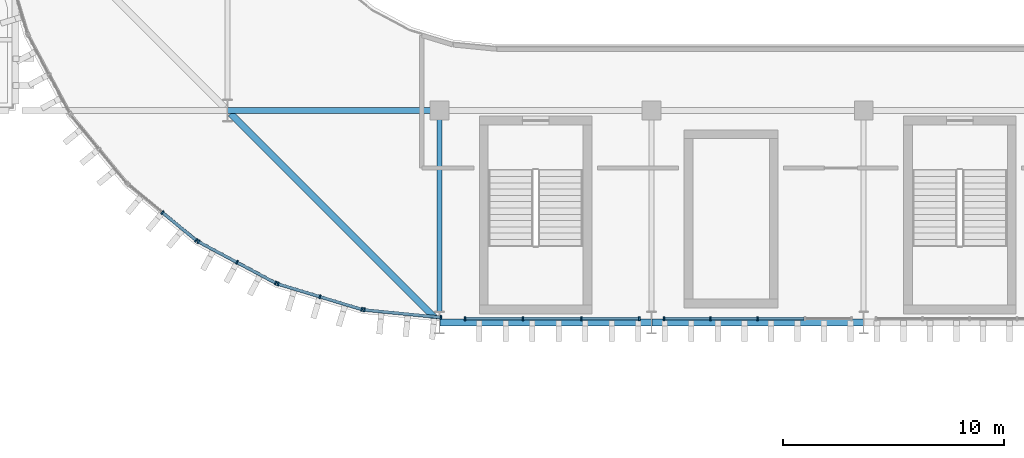
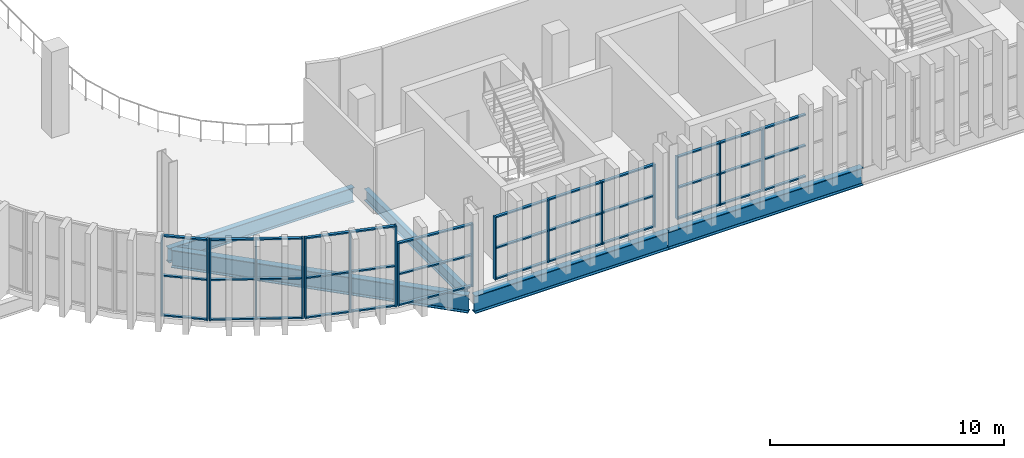
# One storey, part 11 of 92: 53 members, 5 beams, 6 elements without a shape of their own.
"""IFC4 building model written with IfcOpenShell, lengths in metres."""

from ifc_helpers import new_model, si_unit, direction, frame, origin, origin_2d, place, context, subcontext, project, spatial, rectangle, i_section, extrude, material, layer, layer_set, material_profile, profile_set, type_object, element, aggregate, save


model = new_model("IFC4")

# Units and contexts
model_context = context("Model", 3, precision=1e-05, world=origin(), true_north=direction((0.0, 1.0)))
body_context = subcontext(model_context, "Body", "Model", "MODEL_VIEW")
ifc_project = project(units=[si_unit("LENGTHUNIT", "METRE"), si_unit("AREAUNIT", "SQUARE_METRE"), si_unit("VOLUMEUNIT", "CUBIC_METRE"), si_unit("PLANEANGLEUNIT", "RADIAN"), si_unit("MASSUNIT", "GRAM", prefix="KILO")], contexts=[model_context])

# Site, building, storey
site_placement = place(None, origin())
site = spatial("IfcSite", under=ifc_project, at=site_placement, CompositionType="ELEMENT")
building_placement = place(site_placement, origin())
building = spatial("IfcBuilding", under=site, at=building_placement, Name="Caelomonte Colonnade Arena", CompositionType="ELEMENT")
storey_placement = place(building_placement, frame((0.0, 0.0, 9.60009765625)))
storey = spatial("IfcBuildingStorey", under=building, at=storey_placement, Name="L02", CompositionType="ELEMENT", Elevation=9.60009765625)

# Curtain wall, members
ifc_material_1 = material(Name="Bronze anodised aluminium and low-E glazing", Category="aluminium")
ifc_layer_1 = layer(ifc_material_1, 0.179931640625)
ifc_layer_set_1 = layer_set([ifc_layer_1], Name="Bronze anodised aluminium and low-E glazing")
curtain_wall_type_1 = type_object("IfcCurtainWallType", Name="ENV-CW-CW-L02-44-42", PredefinedType="USERDEFINED", material=ifc_layer_set_1)
curtain_wall_1_placement = place(storey_placement, origin())
curtain_wall_1 = element("IfcCurtainWall", 1, at=curtain_wall_1_placement, inside=storey, type_object=curtain_wall_type_1, Name="L02 unitized curtain wall CW-L02-0643-0242", ObjectType="UNITIZED CURTAIN WALL", PredefinedType="USERDEFINED")
ifc_material_2 = material(Name="Bronze anodised aluminium AA6063-T6", Category="aluminium")
ifc_material_profile_1 = material_profile(ifc_material_2, rectangle(XDim=0.070068359375, YDim=0.179931640625, at=origin_2d()), Name="CWM-70X180")
ifc_profile_set_1 = profile_set([ifc_material_profile_1], Name="Bronze anodised aluminium AA6063-T6")
member_type_1 = type_object("IfcMemberType", Name="ENV-CW-MULL1", PredefinedType="MULLION", material=ifc_profile_set_1)
member_1_placement = place(storey_placement, frame((64.256103515625, 24.18408203125, 0.0), z_axis=(0.0, 0.0, 1.0), x_axis=(0.772991751994, -0.634416071163, 0.0)))
member_1 = element("IfcMember", 2, at=member_1_placement, type_object=member_type_1, Name="CW-L02-44-42 mullion 2", PredefinedType="MULLION", context=body_context, shape_type="SweptSolid", body=[
    extrude(rectangle(XDim=0.070068359375, YDim=0.179931640625, at=origin_2d()), origin(), (0.0, 0.0, 1.0), 4.219970703125),
])
member_2_placement = place(storey_placement, frame((65.789306640625, 22.92578125, 0.0), z_axis=(0.0, 0.0, 1.0), x_axis=(0.772991751994, -0.634416071163, 0.0)))
member_2 = element("IfcMember", 3, at=member_2_placement, type_object=member_type_1, Name="CW-L02-44-42 mullion 3", PredefinedType="MULLION", context=body_context, shape_type="SweptSolid", body=[
    extrude(rectangle(XDim=0.070068359375, YDim=0.179931640625, at=origin_2d()), origin(), (0.0, 0.0, 1.0), 4.219970703125),
])

curtain_wall_2_placement = place(storey_placement, origin())
curtain_wall_2 = element("IfcCurtainWall", 4, at=curtain_wall_2_placement, inside=storey, type_object=curtain_wall_type_1, Name="L02 unitized curtain wall CW-L02-0676-0219", ObjectType="UNITIZED CURTAIN WALL", PredefinedType="USERDEFINED")
member_3_placement = place(storey_placement, frame((65.884033203125, 22.862548828125, 0.0), z_axis=(0.0, 0.0, 1.0), x_axis=(0.881922613642, -0.471394212466, 0.0)))
member_3 = element("IfcMember", 5, at=member_3_placement, type_object=member_type_1, Name="CW-L02-44-42 mullion 1", PredefinedType="MULLION", context=body_context, shape_type="SweptSolid", body=[
    extrude(rectangle(XDim=0.070068359375, YDim=0.179931640625, at=origin_2d()), origin(), (0.0, 0.0, 1.0), 4.219970703125),
])
member_4_placement = place(storey_placement, frame((67.633056640625, 21.927490234375, 0.0), z_axis=(0.0, 0.0, 1.0), x_axis=(0.881922613642, -0.471394212466, 0.0)))
member_4 = element("IfcMember", 6, at=member_4_placement, type_object=member_type_1, Name="CW-L02-44-42 mullion 2", PredefinedType="MULLION", context=body_context, shape_type="SweptSolid", body=[
    extrude(rectangle(XDim=0.070068359375, YDim=0.179931640625, at=origin_2d()), origin(), (0.0, 0.0, 1.0), 4.219970703125),
])
member_5_placement = place(storey_placement, frame((69.38232421875, 20.99267578125, 0.0), z_axis=(0.0, 0.0, 1.0), x_axis=(0.881922613642, -0.471394212466, 0.0)))
member_5 = element("IfcMember", 7, at=member_5_placement, type_object=member_type_1, Name="CW-L02-44-42 mullion 3", PredefinedType="MULLION", context=body_context, shape_type="SweptSolid", body=[
    extrude(rectangle(XDim=0.070068359375, YDim=0.179931640625, at=origin_2d()), origin(), (0.0, 0.0, 1.0), 4.219970703125),
])

curtain_wall_3_placement = place(storey_placement, origin())
curtain_wall_3 = element("IfcCurtainWall", 8, at=curtain_wall_3_placement, inside=storey, type_object=curtain_wall_type_1, Name="L02 unitized curtain wall CW-L02-0714-0204", ObjectType="UNITIZED CURTAIN WALL", PredefinedType="USERDEFINED")
member_6_placement = place(storey_placement, frame((69.487548828125, 20.948974609375, 0.0), z_axis=(0.0, 0.0, 1.0), x_axis=(0.956949160999, -0.290255582655, 0.0)))
member_6 = element("IfcMember", 9, at=member_6_placement, type_object=member_type_1, Name="CW-L02-44-42 mullion 1", PredefinedType="MULLION", context=body_context, shape_type="SweptSolid", body=[
    extrude(rectangle(XDim=0.070068359375, YDim=0.179931640625, at=origin_2d()), origin(), (0.0, 0.0, 1.0), 4.219970703125),
])
member_7_placement = place(storey_placement, frame((71.385498046875, 20.373291015625, 0.0), z_axis=(0.0, 0.0, 1.0), x_axis=(0.956949160999, -0.290255582655, 0.0)))
member_7 = element("IfcMember", 10, at=member_7_placement, type_object=member_type_1, Name="CW-L02-44-42 mullion 2", PredefinedType="MULLION", context=body_context, shape_type="SweptSolid", body=[
    extrude(rectangle(XDim=0.070068359375, YDim=0.179931640625, at=origin_2d()), origin(), (0.0, 0.0, 1.0), 4.219970703125),
])
member_8_placement = place(storey_placement, frame((73.28369140625, 19.797607421875, 0.0), z_axis=(0.0, 0.0, 1.0), x_axis=(0.956949160999, -0.290255582655, 0.0)))
member_8 = element("IfcMember", 11, at=member_8_placement, type_object=member_type_1, Name="CW-L02-44-42 mullion 3", PredefinedType="MULLION", context=body_context, shape_type="SweptSolid", body=[
    extrude(rectangle(XDim=0.070068359375, YDim=0.179931640625, at=origin_2d()), origin(), (0.0, 0.0, 1.0), 4.219970703125),
])

ifc_layer_2 = layer(ifc_material_1, 0.179931640625)
ifc_layer_set_2 = layer_set([ifc_layer_2], Name="Bronze anodised aluminium and low-E glazing")
curtain_wall_type_2 = type_object("IfcCurtainWallType", Name="ENV-CW-CW-L02-42-33", PredefinedType="USERDEFINED", material=ifc_layer_set_2)
curtain_wall_4_placement = place(storey_placement, origin())
curtain_wall_4 = element("IfcCurtainWall", 12, at=curtain_wall_4_placement, inside=storey, type_object=curtain_wall_type_2, Name="L02 unitized curtain wall CW-L02-0753-0196", ObjectType="UNITIZED CURTAIN WALL", PredefinedType="USERDEFINED")
member_9_placement = place(storey_placement, frame((73.3955078125, 19.775390625, 0.0), z_axis=(0.0, 0.0, 1.0), x_axis=(0.995184134744, -0.098023150088, 0.0)))
member_9 = element("IfcMember", 13, at=member_9_placement, type_object=member_type_1, Name="CW-L02-42-33 mullion 1", PredefinedType="MULLION", context=body_context, shape_type="SweptSolid", body=[
    extrude(rectangle(XDim=0.070068359375, YDim=0.179931640625, at=origin_2d()), origin(), (0.0, 0.0, 1.0), 3.29296875),
])
member_10_placement = place(storey_placement, frame((76.85986328125, 19.43408203125, 0.0), z_axis=(0.0, 0.0, 1.0), x_axis=(0.995184134744, -0.098023150088, 0.0)))
member_10 = element("IfcMember", 14, at=member_10_placement, type_object=member_type_1, Name="CW-L02-42-33 mullion 2", PredefinedType="MULLION", context=body_context, shape_type="SweptSolid", body=[
    extrude(rectangle(XDim=0.070068359375, YDim=0.179931640625, at=origin_2d()), origin(), (0.0, 0.0, 1.0), 3.29296875),
])

ifc_layer_3 = layer(ifc_material_1, 0.179931640625)
ifc_layer_set_3 = layer_set([ifc_layer_3], Name="Bronze anodised aluminium and low-E glazing")
curtain_wall_type_3 = type_object("IfcCurtainWallType", Name="ENV-CW-CW-L02-90-33", PredefinedType="USERDEFINED", material=ifc_layer_set_3)
curtain_wall_5_placement = place(storey_placement, origin())
curtain_wall_5 = element("IfcCurtainWall", 15, at=curtain_wall_5_placement, inside=storey, type_object=curtain_wall_type_3, Name="L02 unitized curtain wall CW-L02-0819-0194", ObjectType="UNITIZED CURTAIN WALL", PredefinedType="USERDEFINED")
member_11_placement = place(storey_placement, frame((77.96044921875, 19.3798828125, 0.0), z_axis=(0.0, 0.0, 1.0), x_axis=(1.0, 0.0, 0.0)))
member_11 = element("IfcMember", 16, at=member_11_placement, type_object=member_type_1, Name="CW-L02-90-33 mullion 1", PredefinedType="MULLION", context=body_context, shape_type="SweptSolid", body=[
    extrude(rectangle(XDim=0.070068359375, YDim=0.179931640625, at=origin_2d()), origin(), (0.0, 0.0, 1.0), 3.29296875),
])
member_12_placement = place(storey_placement, frame((80.5751953125, 19.3798828125, 0.0), z_axis=(0.0, 0.0, 1.0), x_axis=(1.0, 0.0, 0.0)))
member_12 = element("IfcMember", 17, at=member_12_placement, type_object=member_type_1, Name="CW-L02-90-33 mullion 2", PredefinedType="MULLION", context=body_context, shape_type="SweptSolid", body=[
    extrude(rectangle(XDim=0.070068359375, YDim=0.179931640625, at=origin_2d()), origin(), (0.0, 0.0, 1.0), 3.29296875),
])
member_13_placement = place(storey_placement, frame((83.224853515625, 19.3798828125, 0.0), z_axis=(0.0, 0.0, 1.0), x_axis=(1.0, 0.0, 0.0)))
member_13 = element("IfcMember", 18, at=member_13_placement, type_object=member_type_1, Name="CW-L02-90-33 mullion 3", PredefinedType="MULLION", context=body_context, shape_type="SweptSolid", body=[
    extrude(rectangle(XDim=0.070068359375, YDim=0.179931640625, at=origin_2d()), origin(), (0.0, 0.0, 1.0), 3.29296875),
])
member_14_placement = place(storey_placement, frame((85.839599609375, 19.3798828125, 0.0), z_axis=(0.0, 0.0, 1.0), x_axis=(1.0, 0.0, 0.0)))
member_14 = element("IfcMember", 19, at=member_14_placement, type_object=member_type_1, Name="CW-L02-90-33 mullion 4", PredefinedType="MULLION", context=body_context, shape_type="SweptSolid", body=[
    extrude(rectangle(XDim=0.070068359375, YDim=0.179931640625, at=origin_2d()), origin(), (0.0, 0.0, 1.0), 3.29296875),
])

ifc_layer_4 = layer(ifc_material_1, 0.179931640625)
ifc_layer_set_4 = layer_set([ifc_layer_4], Name="Bronze anodised aluminium and low-E glazing")
curtain_wall_type_4 = type_object("IfcCurtainWallType", Name="ENV-CW-CW-L02-96-33", PredefinedType="USERDEFINED", material=ifc_layer_set_4)
curtain_wall_6_placement = place(storey_placement, origin())
curtain_wall_6 = element("IfcCurtainWall", 20, at=curtain_wall_6_placement, inside=storey, type_object=curtain_wall_type_4, Name="L02 unitized curtain wall CW-L02-0912-0194", ObjectType="UNITIZED CURTAIN WALL", PredefinedType="USERDEFINED")
member_15_placement = place(storey_placement, frame((86.96044921875, 19.3798828125, 0.0), z_axis=(0.0, 0.0, 1.0), x_axis=(1.0, 0.0, 0.0)))
member_15 = element("IfcMember", 21, at=member_15_placement, type_object=member_type_1, Name="CW-L02-96-33 mullion 1", PredefinedType="MULLION", context=body_context, shape_type="SweptSolid", body=[
    extrude(rectangle(XDim=0.070068359375, YDim=0.179931640625, at=origin_2d()), origin(), (0.0, 0.0, 1.0), 3.29296875),
])
member_16_placement = place(storey_placement, frame((89.062744140625, 19.3798828125, 0.0), z_axis=(0.0, 0.0, 1.0), x_axis=(1.0, 0.0, 0.0)))
member_16 = element("IfcMember", 22, at=member_16_placement, type_object=member_type_1, Name="CW-L02-96-33 mullion 2", PredefinedType="MULLION", context=body_context, shape_type="SweptSolid", body=[
    extrude(rectangle(XDim=0.070068359375, YDim=0.179931640625, at=origin_2d()), origin(), (0.0, 0.0, 1.0), 3.29296875),
])
member_17_placement = place(storey_placement, frame((91.199951171875, 19.3798828125, 0.0), z_axis=(0.0, 0.0, 1.0), x_axis=(1.0, 0.0, 0.0)))
member_17 = element("IfcMember", 23, at=member_17_placement, type_object=member_type_1, Name="CW-L02-96-33 mullion 3", PredefinedType="MULLION", context=body_context, shape_type="SweptSolid", body=[
    extrude(rectangle(XDim=0.070068359375, YDim=0.179931640625, at=origin_2d()), origin(), (0.0, 0.0, 1.0), 3.29296875),
])

# Member
ifc_material_profile_2 = material_profile(ifc_material_2, rectangle(XDim=0.070068359375, YDim=0.139892578125, at=origin_2d()), Name="CWT-70X140")
ifc_profile_set_2 = profile_set([ifc_material_profile_2], Name="Bronze anodised aluminium AA6063-T6")
member_type_2 = type_object("IfcMemberType", Name="ENV-CW-TRAN1", PredefinedType="USERDEFINED", material=ifc_profile_set_2)
member_18_placement = place(storey_placement, frame((64.283203125, 24.161865234375, 0.034912109375), z_axis=(0.772989936128, -0.634418283662, 0.0), x_axis=(0.0, 0.0, 1.0)))
member_18 = element("IfcMember", 24, at=member_18_placement, type_object=member_type_2, Name="CW-L02-44-42 transom 2.1", ObjectType="TRANSOM", PredefinedType="USERDEFINED", context=body_context, shape_type="SweptSolid", body=[
    extrude(rectangle(XDim=0.070068359375, YDim=0.139892578125, at=origin_2d()), origin(), (0.0, 0.0, 1.0), 1.913330078125),
])

member_19_placement = place(storey_placement, frame((64.283203125, 24.161865234375, 2.10986328125), z_axis=(0.772989936128, -0.634418283662, 0.0), x_axis=(0.0, 0.0, 1.0)))
member_19 = element("IfcMember", 25, at=member_19_placement, type_object=member_type_2, Name="CW-L02-44-42 transom 2.2", ObjectType="TRANSOM", PredefinedType="USERDEFINED", context=body_context, shape_type="SweptSolid", body=[
    extrude(rectangle(XDim=0.070068359375, YDim=0.139892578125, at=origin_2d()), origin(), (0.0, 0.0, 1.0), 1.913330078125),
])

member_20_placement = place(storey_placement, frame((64.283203125, 24.161865234375, 4.184814453125), z_axis=(0.772989936128, -0.634418283662, 0.0), x_axis=(0.0, 0.0, 1.0)))
member_20 = element("IfcMember", 26, at=member_20_placement, type_object=member_type_2, Name="CW-L02-44-42 transom 2.3", ObjectType="TRANSOM", PredefinedType="USERDEFINED", context=body_context, shape_type="SweptSolid", body=[
    extrude(rectangle(XDim=0.070068359375, YDim=0.139892578125, at=origin_2d()), origin(), (0.0, 0.0, 1.0), 1.913330078125),
])

aggregate(curtain_wall_1, [member_1, member_2, member_18, member_19, member_20])

member_21_placement = place(storey_placement, frame((65.914794921875, 22.845947265625, 0.034912109375), z_axis=(0.88194995936, -0.471343048304, 0.0), x_axis=(0.0, 0.0, 1.0)))
member_21 = element("IfcMember", 27, at=member_21_placement, type_object=member_type_2, Name="CW-L02-44-42 transom 1.1", ObjectType="TRANSOM", PredefinedType="USERDEFINED", context=body_context, shape_type="SweptSolid", body=[
    extrude(rectangle(XDim=0.070068359375, YDim=0.139892578125, at=origin_2d()), origin(), (0.0, 0.0, 1.0), 1.913330078125),
])

member_22_placement = place(storey_placement, frame((65.914794921875, 22.845947265625, 2.10986328125), z_axis=(0.88194995936, -0.471343048304, 0.0), x_axis=(0.0, 0.0, 1.0)))
member_22 = element("IfcMember", 28, at=member_22_placement, type_object=member_type_2, Name="CW-L02-44-42 transom 1.2", ObjectType="TRANSOM", PredefinedType="USERDEFINED", context=body_context, shape_type="SweptSolid", body=[
    extrude(rectangle(XDim=0.070068359375, YDim=0.139892578125, at=origin_2d()), origin(), (0.0, 0.0, 1.0), 1.913330078125),
])

member_23_placement = place(storey_placement, frame((65.914794921875, 22.845947265625, 4.184814453125), z_axis=(0.88194995936, -0.471343048304, 0.0), x_axis=(0.0, 0.0, 1.0)))
member_23 = element("IfcMember", 29, at=member_23_placement, type_object=member_type_2, Name="CW-L02-44-42 transom 1.3", ObjectType="TRANSOM", PredefinedType="USERDEFINED", context=body_context, shape_type="SweptSolid", body=[
    extrude(rectangle(XDim=0.070068359375, YDim=0.139892578125, at=origin_2d()), origin(), (0.0, 0.0, 1.0), 1.913330078125),
])

member_24_placement = place(storey_placement, frame((67.6640625, 21.9111328125, 0.034912109375), z_axis=(0.881896914799, -0.471442288799, 0.0), x_axis=(0.0, 0.0, 1.0)))
member_24 = element("IfcMember", 30, at=member_24_placement, type_object=member_type_2, Name="CW-L02-44-42 transom 2.1", ObjectType="TRANSOM", PredefinedType="USERDEFINED", context=body_context, shape_type="SweptSolid", body=[
    extrude(rectangle(XDim=0.070068359375, YDim=0.139892578125, at=origin_2d()), origin(), (0.0, 0.0, 1.0), 1.91357421875),
])

member_25_placement = place(storey_placement, frame((67.6640625, 21.9111328125, 2.10986328125), z_axis=(0.881896914799, -0.471442288799, 0.0), x_axis=(0.0, 0.0, 1.0)))
member_25 = element("IfcMember", 31, at=member_25_placement, type_object=member_type_2, Name="CW-L02-44-42 transom 2.2", ObjectType="TRANSOM", PredefinedType="USERDEFINED", context=body_context, shape_type="SweptSolid", body=[
    extrude(rectangle(XDim=0.070068359375, YDim=0.139892578125, at=origin_2d()), origin(), (0.0, 0.0, 1.0), 1.91357421875),
])

member_26_placement = place(storey_placement, frame((67.6640625, 21.9111328125, 4.184814453125), z_axis=(0.881896914799, -0.471442288799, 0.0), x_axis=(0.0, 0.0, 1.0)))
member_26 = element("IfcMember", 32, at=member_26_placement, type_object=member_type_2, Name="CW-L02-44-42 transom 2.3", ObjectType="TRANSOM", PredefinedType="USERDEFINED", context=body_context, shape_type="SweptSolid", body=[
    extrude(rectangle(XDim=0.070068359375, YDim=0.139892578125, at=origin_2d()), origin(), (0.0, 0.0, 1.0), 1.91357421875),
])

aggregate(curtain_wall_2, [member_3, member_4, member_5, member_21, member_22, member_23, member_24, member_25, member_26])

member_27_placement = place(storey_placement, frame((69.52099609375, 20.938720703125, 0.034912109375), z_axis=(0.956943884494, -0.290272978297, 0.0), x_axis=(0.0, 0.0, 1.0)))
member_27 = element("IfcMember", 33, at=member_27_placement, type_object=member_type_2, Name="CW-L02-44-42 transom 1.1", ObjectType="TRANSOM", PredefinedType="USERDEFINED", context=body_context, shape_type="SweptSolid", body=[
    extrude(rectangle(XDim=0.070068359375, YDim=0.139892578125, at=origin_2d()), origin(), (0.0, 0.0, 1.0), 1.913330078125),
])

member_28_placement = place(storey_placement, frame((69.52099609375, 20.938720703125, 2.10986328125), z_axis=(0.956943884494, -0.290272978297, 0.0), x_axis=(0.0, 0.0, 1.0)))
member_28 = element("IfcMember", 34, at=member_28_placement, type_object=member_type_2, Name="CW-L02-44-42 transom 1.2", ObjectType="TRANSOM", PredefinedType="USERDEFINED", context=body_context, shape_type="SweptSolid", body=[
    extrude(rectangle(XDim=0.070068359375, YDim=0.139892578125, at=origin_2d()), origin(), (0.0, 0.0, 1.0), 1.913330078125),
])

member_29_placement = place(storey_placement, frame((69.52099609375, 20.938720703125, 4.184814453125), z_axis=(0.956943884494, -0.290272978297, 0.0), x_axis=(0.0, 0.0, 1.0)))
member_29 = element("IfcMember", 35, at=member_29_placement, type_object=member_type_2, Name="CW-L02-44-42 transom 1.3", ObjectType="TRANSOM", PredefinedType="USERDEFINED", context=body_context, shape_type="SweptSolid", body=[
    extrude(rectangle(XDim=0.070068359375, YDim=0.139892578125, at=origin_2d()), origin(), (0.0, 0.0, 1.0), 1.913330078125),
])

member_30_placement = place(storey_placement, frame((71.419189453125, 20.363037109375, 0.034912109375), z_axis=(0.956933131783, -0.290308424431, 0.0), x_axis=(0.0, 0.0, 1.0)))
member_30 = element("IfcMember", 36, at=member_30_placement, type_object=member_type_2, Name="CW-L02-44-42 transom 2.1", ObjectType="TRANSOM", PredefinedType="USERDEFINED", context=body_context, shape_type="SweptSolid", body=[
    extrude(rectangle(XDim=0.070068359375, YDim=0.139892578125, at=origin_2d()), origin(), (0.0, 0.0, 1.0), 1.9130859375),
])

member_31_placement = place(storey_placement, frame((71.419189453125, 20.363037109375, 2.10986328125), z_axis=(0.956933131783, -0.290308424431, 0.0), x_axis=(0.0, 0.0, 1.0)))
member_31 = element("IfcMember", 37, at=member_31_placement, type_object=member_type_2, Name="CW-L02-44-42 transom 2.2", ObjectType="TRANSOM", PredefinedType="USERDEFINED", context=body_context, shape_type="SweptSolid", body=[
    extrude(rectangle(XDim=0.070068359375, YDim=0.139892578125, at=origin_2d()), origin(), (0.0, 0.0, 1.0), 1.9130859375),
])

member_32_placement = place(storey_placement, frame((71.419189453125, 20.363037109375, 4.184814453125), z_axis=(0.956933131783, -0.290308424431, 0.0), x_axis=(0.0, 0.0, 1.0)))
member_32 = element("IfcMember", 38, at=member_32_placement, type_object=member_type_2, Name="CW-L02-44-42 transom 2.3", ObjectType="TRANSOM", PredefinedType="USERDEFINED", context=body_context, shape_type="SweptSolid", body=[
    extrude(rectangle(XDim=0.070068359375, YDim=0.139892578125, at=origin_2d()), origin(), (0.0, 0.0, 1.0), 1.9130859375),
])

aggregate(curtain_wall_3, [member_6, member_7, member_8, member_27, member_28, member_29, member_30, member_31, member_32])

member_33_placement = place(storey_placement, frame((73.43017578125, 19.771728515625, 0.034912109375), z_axis=(0.99518837698, -0.09798007106, 0.0), x_axis=(0.0, 0.0, 1.0)))
member_33 = element("IfcMember", 39, at=member_33_placement, type_object=member_type_2, Name="CW-L02-42-33 transom 1.1", ObjectType="TRANSOM", PredefinedType="USERDEFINED", context=body_context, shape_type="SweptSolid", body=[
    extrude(rectangle(XDim=0.070068359375, YDim=0.139892578125, at=origin_2d()), origin(), (0.0, 0.0, 1.0), 3.4111328125),
])

member_34_placement = place(storey_placement, frame((73.43017578125, 19.771728515625, 1.646484375), z_axis=(0.99518837698, -0.09798007106, 0.0), x_axis=(0.0, 0.0, 1.0)))
member_34 = element("IfcMember", 40, at=member_34_placement, type_object=member_type_2, Name="CW-L02-42-33 transom 1.2", ObjectType="TRANSOM", PredefinedType="USERDEFINED", context=body_context, shape_type="SweptSolid", body=[
    extrude(rectangle(XDim=0.070068359375, YDim=0.139892578125, at=origin_2d()), origin(), (0.0, 0.0, 1.0), 3.4111328125),
])

member_35_placement = place(storey_placement, frame((73.43017578125, 19.771728515625, 3.2578125), z_axis=(0.99518837698, -0.09798007106, 0.0), x_axis=(0.0, 0.0, 1.0)))
member_35 = element("IfcMember", 41, at=member_35_placement, type_object=member_type_2, Name="CW-L02-42-33 transom 1.3", ObjectType="TRANSOM", PredefinedType="USERDEFINED", context=body_context, shape_type="SweptSolid", body=[
    extrude(rectangle(XDim=0.070068359375, YDim=0.139892578125, at=origin_2d()), origin(), (0.0, 0.0, 1.0), 3.4111328125),
])

aggregate(curtain_wall_4, [member_9, member_10, member_33, member_34, member_35])

member_36_placement = place(storey_placement, frame((77.99560546875, 19.3798828125, 0.034912109375), z_axis=(1.0, 0.0, 0.0), x_axis=(0.0, 0.0, 1.0)))
member_36 = element("IfcMember", 42, at=member_36_placement, type_object=member_type_2, Name="CW-L02-90-33 transom 1.1", ObjectType="TRANSOM", PredefinedType="USERDEFINED", context=body_context, shape_type="SweptSolid", body=[
    extrude(rectangle(XDim=0.070068359375, YDim=0.139892578125, at=origin_2d()), origin(), (0.0, 0.0, 1.0), 2.544677734375),
])

member_37_placement = place(storey_placement, frame((77.99560546875, 19.3798828125, 1.646484375), z_axis=(1.0, 0.0, 0.0), x_axis=(0.0, 0.0, 1.0)))
member_37 = element("IfcMember", 43, at=member_37_placement, type_object=member_type_2, Name="CW-L02-90-33 transom 1.2", ObjectType="TRANSOM", PredefinedType="USERDEFINED", context=body_context, shape_type="SweptSolid", body=[
    extrude(rectangle(XDim=0.070068359375, YDim=0.139892578125, at=origin_2d()), origin(), (0.0, 0.0, 1.0), 2.544677734375),
])

member_38_placement = place(storey_placement, frame((77.99560546875, 19.3798828125, 3.2578125), z_axis=(1.0, 0.0, 0.0), x_axis=(0.0, 0.0, 1.0)))
member_38 = element("IfcMember", 44, at=member_38_placement, type_object=member_type_2, Name="CW-L02-90-33 transom 1.3", ObjectType="TRANSOM", PredefinedType="USERDEFINED", context=body_context, shape_type="SweptSolid", body=[
    extrude(rectangle(XDim=0.070068359375, YDim=0.139892578125, at=origin_2d()), origin(), (0.0, 0.0, 1.0), 2.544677734375),
])

member_39_placement = place(storey_placement, frame((80.610107421875, 19.3798828125, 0.034912109375), z_axis=(1.0, 0.0, 0.0), x_axis=(0.0, 0.0, 1.0)))
member_39 = element("IfcMember", 45, at=member_39_placement, type_object=member_type_2, Name="CW-L02-90-33 transom 2.1", ObjectType="TRANSOM", PredefinedType="USERDEFINED", context=body_context, shape_type="SweptSolid", body=[
    extrude(rectangle(XDim=0.070068359375, YDim=0.139892578125, at=origin_2d()), origin(), (0.0, 0.0, 1.0), 2.579833984375),
])

member_40_placement = place(storey_placement, frame((80.610107421875, 19.3798828125, 1.646484375), z_axis=(1.0, 0.0, 0.0), x_axis=(0.0, 0.0, 1.0)))
member_40 = element("IfcMember", 46, at=member_40_placement, type_object=member_type_2, Name="CW-L02-90-33 transom 2.2", ObjectType="TRANSOM", PredefinedType="USERDEFINED", context=body_context, shape_type="SweptSolid", body=[
    extrude(rectangle(XDim=0.070068359375, YDim=0.139892578125, at=origin_2d()), origin(), (0.0, 0.0, 1.0), 2.579833984375),
])

member_41_placement = place(storey_placement, frame((80.610107421875, 19.3798828125, 3.2578125), z_axis=(1.0, 0.0, 0.0), x_axis=(0.0, 0.0, 1.0)))
member_41 = element("IfcMember", 47, at=member_41_placement, type_object=member_type_2, Name="CW-L02-90-33 transom 2.3", ObjectType="TRANSOM", PredefinedType="USERDEFINED", context=body_context, shape_type="SweptSolid", body=[
    extrude(rectangle(XDim=0.070068359375, YDim=0.139892578125, at=origin_2d()), origin(), (0.0, 0.0, 1.0), 2.579833984375),
])

member_42_placement = place(storey_placement, frame((83.259765625, 19.3798828125, 0.034912109375), z_axis=(1.0, 0.0, 0.0), x_axis=(0.0, 0.0, 1.0)))
member_42 = element("IfcMember", 48, at=member_42_placement, type_object=member_type_2, Name="CW-L02-90-33 transom 3.1", ObjectType="TRANSOM", PredefinedType="USERDEFINED", context=body_context, shape_type="SweptSolid", body=[
    extrude(rectangle(XDim=0.070068359375, YDim=0.139892578125, at=origin_2d()), origin(), (0.0, 0.0, 1.0), 2.544677734375),
])

member_43_placement = place(storey_placement, frame((83.259765625, 19.3798828125, 1.646484375), z_axis=(1.0, 0.0, 0.0), x_axis=(0.0, 0.0, 1.0)))
member_43 = element("IfcMember", 49, at=member_43_placement, type_object=member_type_2, Name="CW-L02-90-33 transom 3.2", ObjectType="TRANSOM", PredefinedType="USERDEFINED", context=body_context, shape_type="SweptSolid", body=[
    extrude(rectangle(XDim=0.070068359375, YDim=0.139892578125, at=origin_2d()), origin(), (0.0, 0.0, 1.0), 2.544677734375),
])

member_44_placement = place(storey_placement, frame((83.259765625, 19.3798828125, 3.2578125), z_axis=(1.0, 0.0, 0.0), x_axis=(0.0, 0.0, 1.0)))
member_44 = element("IfcMember", 50, at=member_44_placement, type_object=member_type_2, Name="CW-L02-90-33 transom 3.3", ObjectType="TRANSOM", PredefinedType="USERDEFINED", context=body_context, shape_type="SweptSolid", body=[
    extrude(rectangle(XDim=0.070068359375, YDim=0.139892578125, at=origin_2d()), origin(), (0.0, 0.0, 1.0), 2.544677734375),
])

aggregate(curtain_wall_5, [member_11, member_12, member_13, member_14, member_36, member_37, member_38, member_39, member_40, member_41, member_42, member_43, member_44])

member_45_placement = place(storey_placement, frame((86.99560546875, 19.3798828125, 0.034912109375), z_axis=(1.0, 0.0, 0.0), x_axis=(0.0, 0.0, 1.0)))
member_45 = element("IfcMember", 51, at=member_45_placement, type_object=member_type_2, Name="CW-L02-96-33 transom 1.1", ObjectType="TRANSOM", PredefinedType="USERDEFINED", context=body_context, shape_type="SweptSolid", body=[
    extrude(rectangle(XDim=0.070068359375, YDim=0.139892578125, at=origin_2d()), origin(), (0.0, 0.0, 1.0), 2.0322265625),
])

member_46_placement = place(storey_placement, frame((86.99560546875, 19.3798828125, 1.646484375), z_axis=(1.0, 0.0, 0.0), x_axis=(0.0, 0.0, 1.0)))
member_46 = element("IfcMember", 52, at=member_46_placement, type_object=member_type_2, Name="CW-L02-96-33 transom 1.2", ObjectType="TRANSOM", PredefinedType="USERDEFINED", context=body_context, shape_type="SweptSolid", body=[
    extrude(rectangle(XDim=0.070068359375, YDim=0.139892578125, at=origin_2d()), origin(), (0.0, 0.0, 1.0), 2.0322265625),
])

member_47_placement = place(storey_placement, frame((86.99560546875, 19.3798828125, 3.2578125), z_axis=(1.0, 0.0, 0.0), x_axis=(0.0, 0.0, 1.0)))
member_47 = element("IfcMember", 53, at=member_47_placement, type_object=member_type_2, Name="CW-L02-96-33 transom 1.3", ObjectType="TRANSOM", PredefinedType="USERDEFINED", context=body_context, shape_type="SweptSolid", body=[
    extrude(rectangle(XDim=0.070068359375, YDim=0.139892578125, at=origin_2d()), origin(), (0.0, 0.0, 1.0), 2.0322265625),
])

member_48_placement = place(storey_placement, frame((89.09765625, 19.3798828125, 0.034912109375), z_axis=(1.0, 0.0, 0.0), x_axis=(0.0, 0.0, 1.0)))
member_48 = element("IfcMember", 54, at=member_48_placement, type_object=member_type_2, Name="CW-L02-96-33 transom 2.1", ObjectType="TRANSOM", PredefinedType="USERDEFINED", context=body_context, shape_type="SweptSolid", body=[
    extrude(rectangle(XDim=0.070068359375, YDim=0.139892578125, at=origin_2d()), origin(), (0.0, 0.0, 1.0), 2.0673828125),
])

member_49_placement = place(storey_placement, frame((89.09765625, 19.3798828125, 1.646484375), z_axis=(1.0, 0.0, 0.0), x_axis=(0.0, 0.0, 1.0)))
member_49 = element("IfcMember", 55, at=member_49_placement, type_object=member_type_2, Name="CW-L02-96-33 transom 2.2", ObjectType="TRANSOM", PredefinedType="USERDEFINED", context=body_context, shape_type="SweptSolid", body=[
    extrude(rectangle(XDim=0.070068359375, YDim=0.139892578125, at=origin_2d()), origin(), (0.0, 0.0, 1.0), 2.0673828125),
])

member_50_placement = place(storey_placement, frame((89.09765625, 19.3798828125, 3.2578125), z_axis=(1.0, 0.0, 0.0), x_axis=(0.0, 0.0, 1.0)))
member_50 = element("IfcMember", 56, at=member_50_placement, type_object=member_type_2, Name="CW-L02-96-33 transom 2.3", ObjectType="TRANSOM", PredefinedType="USERDEFINED", context=body_context, shape_type="SweptSolid", body=[
    extrude(rectangle(XDim=0.070068359375, YDim=0.139892578125, at=origin_2d()), origin(), (0.0, 0.0, 1.0), 2.0673828125),
])

member_51_placement = place(storey_placement, frame((91.235107421875, 19.3798828125, 0.034912109375), z_axis=(1.0, 0.0, 0.0), x_axis=(0.0, 0.0, 1.0)))
member_51 = element("IfcMember", 57, at=member_51_placement, type_object=member_type_2, Name="CW-L02-96-33 transom 3.1", ObjectType="TRANSOM", PredefinedType="USERDEFINED", context=body_context, shape_type="SweptSolid", body=[
    extrude(rectangle(XDim=0.070068359375, YDim=0.139892578125, at=origin_2d()), origin(), (0.0, 0.0, 1.0), 2.067138671875),
])

member_52_placement = place(storey_placement, frame((91.235107421875, 19.3798828125, 1.646484375), z_axis=(1.0, 0.0, 0.0), x_axis=(0.0, 0.0, 1.0)))
member_52 = element("IfcMember", 58, at=member_52_placement, type_object=member_type_2, Name="CW-L02-96-33 transom 3.2", ObjectType="TRANSOM", PredefinedType="USERDEFINED", context=body_context, shape_type="SweptSolid", body=[
    extrude(rectangle(XDim=0.070068359375, YDim=0.139892578125, at=origin_2d()), origin(), (0.0, 0.0, 1.0), 2.067138671875),
])

member_53_placement = place(storey_placement, frame((91.235107421875, 19.3798828125, 3.2578125), z_axis=(1.0, 0.0, 0.0), x_axis=(0.0, 0.0, 1.0)))
member_53 = element("IfcMember", 59, at=member_53_placement, type_object=member_type_2, Name="CW-L02-96-33 transom 3.3", ObjectType="TRANSOM", PredefinedType="USERDEFINED", context=body_context, shape_type="SweptSolid", body=[
    extrude(rectangle(XDim=0.070068359375, YDim=0.139892578125, at=origin_2d()), origin(), (0.0, 0.0, 1.0), 2.067138671875),
])

aggregate(curtain_wall_6, [member_15, member_16, member_17, member_45, member_46, member_47, member_48, member_49, member_50, member_51, member_52, member_53])

# Beams
ifc_material_3 = material(Name="Wide-flange steel ASTM A992 Grade 50", Category="steel")
ifc_material_profile_3 = material_profile(ifc_material_3, i_section(OverallWidth=0.307861328125, OverallDepth=0.927001953125, WebThickness=0.019287109375, FlangeThickness=0.031982421875, FilletRadius=0.020263671875, at=origin_2d()), Name="W36X194")
ifc_profile_set_3 = profile_set([ifc_material_profile_3], Name="Wide-flange steel ASTM A992 Grade 50")
beam_type_1 = type_object("IfcBeamType", Name="STR-BM-EAVES2", PredefinedType="SPANDREL", material=ifc_profile_set_3)
for number, where, z_axis, x_axis, name in (
    (60, (76.811767578125, 19.199951171875, -0.74365234375), (1.0, 0.0, 0.0), (0.0, 1.0, 0.0), "L02 girder BMX-L02-0768-0192"),
    (61, (86.411865234375, 19.199951171875, -0.74365234375), (1.0, 0.0, 0.0), (0.0, 1.0, 0.0), "L02 girder BMX-L02-0864-0192"),
):
    element("IfcBeam", number, at=place(storey_placement, frame(where, z_axis=z_axis, x_axis=x_axis)), inside=storey, type_object=beam_type_1, Name=name, PredefinedType="SPANDREL", context=body_context, shape_type="SweptSolid", body=[
        extrude(i_section(OverallWidth=0.307861328125, OverallDepth=0.927001953125, WebThickness=0.019287109375, FlangeThickness=0.031982421875, FilletRadius=0.020263671875, at=origin_2d()), origin(), (0.0, 0.0, 1.0), 9.576416015625),
    ])
beam_1_placement = place(storey_placement, frame((67.342529296875, 28.657470703125, -0.74365234375), z_axis=(0.707106781187, -0.707106781187, 0.0), x_axis=(0.707106781187, 0.707106781187, 0.0)))
element("IfcBeam", 62, at=beam_1_placement, inside=storey, type_object=beam_type_1, Name="L02 drum corner ring girder 2", PredefinedType="SPANDREL", context=body_context, shape_type="SweptSolid", body=[
    extrude(i_section(OverallWidth=0.307861328125, OverallDepth=0.927001953125, WebThickness=0.019287109375, FlangeThickness=0.031982421875, FilletRadius=0.020263671875, at=origin_2d()), origin(), (0.0, 0.0, 1.0), 13.17333984375),
])
ifc_material_profile_4 = material_profile(ifc_material_3, i_section(OverallWidth=0.228271484375, OverallDepth=0.607177734375, WebThickness=0.01123046875, FlangeThickness=0.017333984375, FilletRadius=0.0126953125, at=origin_2d()), Name="W24X76")
ifc_profile_set_4 = profile_set([ifc_material_profile_4], Name="Wide-flange steel ASTM A992 Grade 50")
beam_type_2 = type_object("IfcBeamType", Name="STR-BM-GIRD24", PredefinedType="BEAM", material=ifc_profile_set_4)
beam_2_placement = place(storey_placement, frame((76.800048828125, 19.697509765625, -0.58349609375), z_axis=(0.0, 1.0, 0.0), x_axis=(-1.0, 0.0, 0.0)))
element("IfcBeam", 63, at=beam_2_placement, inside=storey, type_object=beam_type_2, Name="L02 girder BMY-L02-0768-0192", PredefinedType="BEAM", context=body_context, shape_type="SweptSolid", body=[
    extrude(i_section(OverallWidth=0.228271484375, OverallDepth=0.607177734375, WebThickness=0.01123046875, FlangeThickness=0.017333984375, FilletRadius=0.0126953125, at=origin_2d()), origin(), (0.0, 0.0, 1.0), 8.685546875),
])
ifc_material_profile_5 = material_profile(ifc_material_3, i_section(OverallWidth=0.2666015625, OverallDepth=0.761962890625, WebThickness=0.014404296875, FlangeThickness=0.021484375, FilletRadius=0.0166015625, at=origin_2d()), Name="W30X116")
ifc_profile_set_5 = profile_set([ifc_material_profile_5], Name="Wide-flange steel ASTM A992 Grade 50")
beam_type_3 = type_object("IfcBeamType", Name="STR-BM-GIRD30", PredefinedType="BEAM", material=ifc_profile_set_5)
beam_3_placement = place(storey_placement, frame((67.2119140625, 28.800048828125, -0.6611328125), z_axis=(1.0, 0.0, 0.0), x_axis=(0.0, 1.0, 0.0)))
element("IfcBeam", 64, at=beam_3_placement, inside=storey, type_object=beam_type_3, Name="L02 girder BMX-L02-0672-0288", PredefinedType="BEAM", context=body_context, shape_type="SweptSolid", body=[
    extrude(i_section(OverallWidth=0.2666015625, OverallDepth=0.761962890625, WebThickness=0.014404296875, FlangeThickness=0.021484375, FilletRadius=0.0166015625, at=origin_2d()), origin(), (0.0, 0.0, 1.0), 9.171142578125),
])

save(model, "model.ifc")
